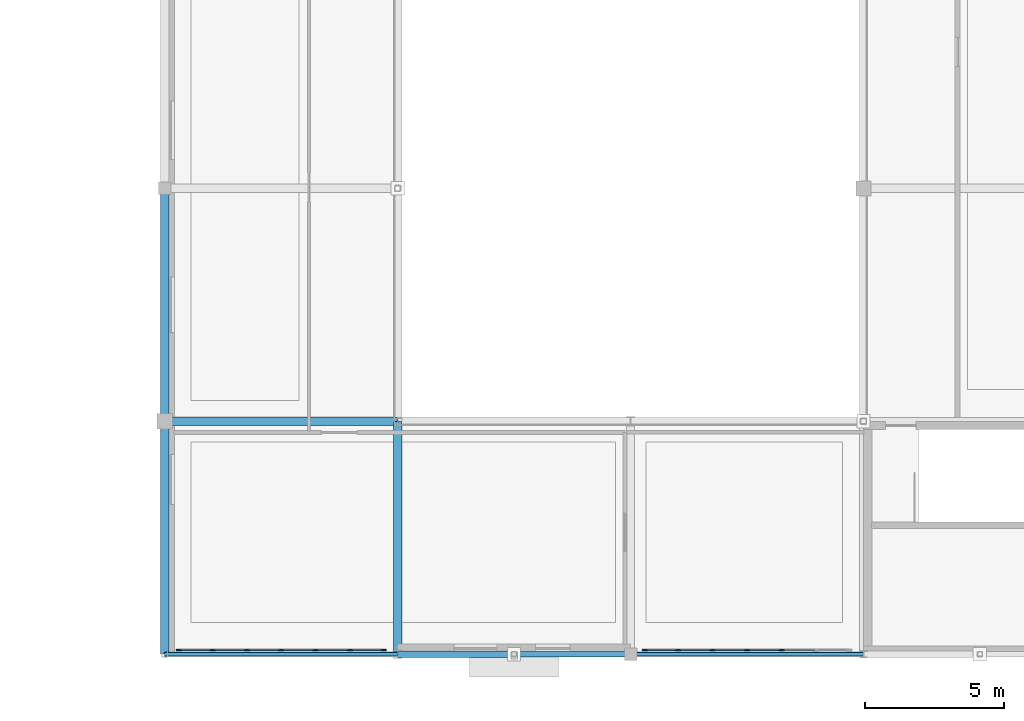
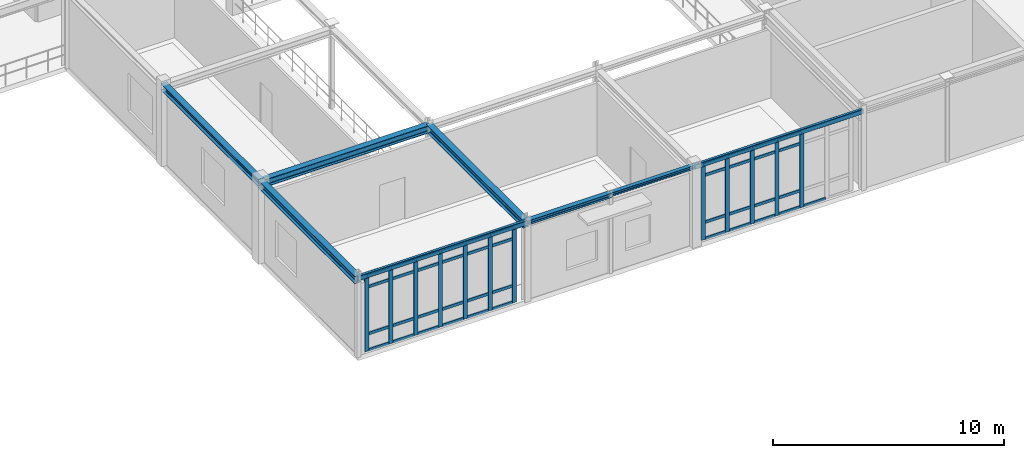
# One storey, part 35 of 106: 53 members, 8 beams, 2 elements without a shape of their own.
"""IFC4 building model written with IfcOpenShell, lengths in metres."""

from ifc_helpers import new_model, si_unit, derived_unit, direction, frame, origin, origin_2d, place, context, subcontext, project, spatial, rectangle, hollow_rectangle, i_section, extrude, material, layer, layer_set, material_profile, profile_set, type_object, element, aggregate, save


model = new_model("IFC4")

# Units and contexts
model_context = context("Model", 3, precision=1e-05, world=origin(), true_north=direction((0.0, 1.0)))
body_context = subcontext(model_context, "Body", "Model", "MODEL_VIEW")
ifc_project = project(units=[si_unit("LENGTHUNIT", "METRE"), si_unit("AREAUNIT", "SQUARE_METRE"), si_unit("VOLUMEUNIT", "CUBIC_METRE"), si_unit("PLANEANGLEUNIT", "RADIAN"), si_unit("MASSUNIT", "GRAM", prefix="KILO"), derived_unit("THERMALTRANSMITTANCEUNIT", [(si_unit("POWERUNIT", "WATT"), 1), (si_unit("AREAUNIT", "SQUARE_METRE"), -1), (si_unit("THERMODYNAMICTEMPERATUREUNIT", "KELVIN"), -1)])], contexts=[model_context])

# Site, building, storey
site_placement = place(None, origin())
site = spatial("IfcSite", under=ifc_project, at=site_placement, CompositionType="ELEMENT")
building_placement = place(site_placement, origin())
building = spatial("IfcBuilding", under=site, at=building_placement, Name="Yasenodar Specialist Clinic", CompositionType="ELEMENT")
storey_placement = place(building_placement, frame((0.0, 0.0, 4.5)))
storey = spatial("IfcBuildingStorey", under=building, at=storey_placement, Name="L01", CompositionType="ELEMENT", Elevation=4.5)

# Beams
ifc_material_1 = material(Name="Steel S355", Category="steel")
ifc_material_profile_1 = material_profile(ifc_material_1, i_section(OverallWidth=0.300048828125, OverallDepth=0.389892578125, WebThickness=0.010986328125, FlangeThickness=0.01904296875, FilletRadius=0.027099609375, at=origin_2d()), Name="HEA 400")
ifc_profile_set_1 = profile_set([ifc_material_profile_1], Name="Steel S355")
beam_type_1 = type_object("IfcBeamType", Name="BM-HEA400", PredefinedType="BEAM", material=ifc_profile_set_1)
beam_1_placement = place(storey_placement, frame((105.0, 8.39990234375, 4.054931640625), z_axis=(1.0, 0.0, 0.0), x_axis=(0.0, 1.0, 0.0)))
element("IfcBeam", 1, at=beam_1_placement, inside=storey, type_object=beam_type_1, Name="L01 Primary E-W Girder", PredefinedType="BEAM", context=body_context, shape_type="SweptSolid", body=[
    extrude(i_section(OverallWidth=0.300048828125, OverallDepth=0.389892578125, WebThickness=0.010986328125, FlangeThickness=0.01904296875, FilletRadius=0.027099609375, at=origin_2d()), origin(), (0.0, 0.0, 1.0), 8.39990234375),
])
ifc_material_profile_2 = material_profile(ifc_material_1, i_section(OverallWidth=0.300048828125, OverallDepth=0.340087890625, WebThickness=0.011962890625, FlangeThickness=0.021484375, FilletRadius=0.027099609375, at=origin_2d()), Name="HEB 340")
ifc_profile_set_2 = profile_set([ifc_material_profile_2], Name="Steel S355")
beam_type_2 = type_object("IfcBeamType", Name="BM-HEB340", PredefinedType="BEAM", material=ifc_profile_set_2)
beam_2_placement = place(storey_placement, frame((105.0, 8.39990234375, 4.080078125), z_axis=(0.0, 1.0, 0.0), x_axis=(-1.0, 0.0, 0.0)))
element("IfcBeam", 2, at=beam_2_placement, inside=storey, type_object=beam_type_2, Name="L01 Primary N-S Girder", PredefinedType="BEAM", context=body_context, shape_type="SweptSolid", body=[
    extrude(i_section(OverallWidth=0.300048828125, OverallDepth=0.340087890625, WebThickness=0.011962890625, FlangeThickness=0.021484375, FilletRadius=0.027099609375, at=origin_2d()), origin(), (0.0, 0.0, 1.0), 8.400146484375),
])
ifc_material_profile_3 = material_profile(ifc_material_1, i_section(OverallWidth=0.300048828125, OverallDepth=0.39990234375, WebThickness=0.013427734375, FlangeThickness=0.02392578125, FilletRadius=0.027099609375, at=origin_2d()), Name="HEB 400")
ifc_profile_set_3 = profile_set([ifc_material_profile_3], Name="Steel S355")
beam_type_3 = type_object("IfcBeamType", Name="BM-HEB400", PredefinedType="BEAM", material=ifc_profile_set_3)
for number, where, z_axis, x_axis, name in (
    (3, (105.0, 0.0, 4.050048828125), (0.0, 1.0, 0.0), (-1.0, 0.0, 0.0), "L01 Primary N-S Girder"),
    (4, (113.39990234375, 0.0, 4.050048828125), (0.0, 1.0, 0.0), (-1.0, 0.0, 0.0), "L01 Primary N-S Girder"),
):
    element("IfcBeam", number, at=place(storey_placement, frame(where, z_axis=z_axis, x_axis=x_axis)), inside=storey, type_object=beam_type_3, Name=name, PredefinedType="BEAM", context=body_context, shape_type="SweptSolid", body=[
        extrude(i_section(OverallWidth=0.300048828125, OverallDepth=0.39990234375, WebThickness=0.013427734375, FlangeThickness=0.02392578125, FilletRadius=0.027099609375, at=origin_2d()), origin(), (0.0, 0.0, 1.0), 8.39990234375),
    ])

# Curtain wall, members
ifc_material_2 = material(Name="Bronze Anodized Aluminium and Triple Low-E Glass", Category="aluminium")
ifc_layer = layer(ifc_material_2, 0.178955078125)
ifc_layer_set = layer_set([ifc_layer], Name="Bronze Anodized Aluminium and Triple Low-E Glass")
curtain_wall_type = type_object("IfcCurtainWallType", Name="CW-SYS-02", PredefinedType="USERDEFINED", material=ifc_layer_set)
curtain_wall_1_placement = place(storey_placement, origin())
curtain_wall_1 = element("IfcCurtainWall", 5, at=curtain_wall_1_placement, inside=storey, type_object=curtain_wall_type, Name="L01 Unitised Curtain Wall 092", ObjectType="UNITISED CURTAIN WALL", PredefinedType="USERDEFINED")
ifc_material_3 = material(Name="Bronze Anodized Aluminium", Category="aluminium")
ifc_material_profile_4 = material_profile(ifc_material_3, rectangle(XDim=0.070068359375, YDim=0.199951171875, at=origin_2d()), Name="CW-MULL 70x200")
ifc_profile_set_4 = profile_set([ifc_material_profile_4], Name="Bronze Anodized Aluminium")
member_type_1 = type_object("IfcMemberType", Name="CW-MULL-200", PredefinedType="MULLION", material=ifc_profile_set_4)
member_1_placement = place(storey_placement, frame((127.239990234375, 0.14990234375, 0.0), z_axis=(0.0, 0.0, 1.0), x_axis=(0.0, -1.0, 0.0)))
member_1 = element("IfcMember", 6, at=member_1_placement, type_object=member_type_1, Name="CW-02 mullion 3", PredefinedType="MULLION", context=body_context, shape_type="SweptSolid", body=[
    extrude(rectangle(XDim=0.070068359375, YDim=0.199951171875, at=origin_2d()), origin(), (0.0, 0.0, 1.0), 3.97802734375),
])
member_2_placement = place(storey_placement, frame((126.0, 0.14990234375, 0.0), z_axis=(0.0, 0.0, 1.0), x_axis=(0.0, -1.0, 0.0)))
member_2 = element("IfcMember", 7, at=member_2_placement, type_object=member_type_1, Name="CW-02 mullion 4", PredefinedType="MULLION", context=body_context, shape_type="SweptSolid", body=[
    extrude(rectangle(XDim=0.070068359375, YDim=0.199951171875, at=origin_2d()), origin(), (0.0, 0.0, 1.0), 3.97802734375),
])
member_3_placement = place(storey_placement, frame((124.760009765625, 0.14990234375, 0.0), z_axis=(0.0, 0.0, 1.0), x_axis=(0.0, -1.0, 0.0)))
member_3 = element("IfcMember", 8, at=member_3_placement, type_object=member_type_1, Name="CW-02 mullion 5", PredefinedType="MULLION", context=body_context, shape_type="SweptSolid", body=[
    extrude(rectangle(XDim=0.070068359375, YDim=0.199951171875, at=origin_2d()), origin(), (0.0, 0.0, 1.0), 3.97802734375),
])
member_4_placement = place(storey_placement, frame((123.52001953125, 0.14990234375, 0.0), z_axis=(0.0, 0.0, 1.0), x_axis=(0.0, -1.0, 0.0)))
member_4 = element("IfcMember", 9, at=member_4_placement, type_object=member_type_1, Name="CW-02 mullion 6", PredefinedType="MULLION", context=body_context, shape_type="SweptSolid", body=[
    extrude(rectangle(XDim=0.070068359375, YDim=0.199951171875, at=origin_2d()), origin(), (0.0, 0.0, 1.0), 3.97802734375),
])
member_5_placement = place(storey_placement, frame((122.31494140625, 0.14990234375, 0.0), z_axis=(0.0, 0.0, 1.0), x_axis=(0.0, -1.0, 0.0)))
member_5 = element("IfcMember", 10, at=member_5_placement, type_object=member_type_1, Name="CW-02 mullion 7", PredefinedType="MULLION", context=body_context, shape_type="SweptSolid", body=[
    extrude(rectangle(XDim=0.070068359375, YDim=0.199951171875, at=origin_2d()), origin(), (0.0, 0.0, 1.0), 3.97802734375),
])

curtain_wall_2_placement = place(storey_placement, origin())
curtain_wall_2 = element("IfcCurtainWall", 11, at=curtain_wall_2_placement, inside=storey, type_object=curtain_wall_type, Name="L01 Unitised Curtain Wall 093", ObjectType="UNITISED CURTAIN WALL", PredefinedType="USERDEFINED")
member_6_placement = place(storey_placement, frame((112.885009765625, 0.14990234375, 0.0), z_axis=(0.0, 0.0, 1.0), x_axis=(0.0, -1.0, 0.0)))
member_6 = element("IfcMember", 12, at=member_6_placement, type_object=member_type_1, Name="CW-02 mullion 1", PredefinedType="MULLION", context=body_context, shape_type="SweptSolid", body=[
    extrude(rectangle(XDim=0.070068359375, YDim=0.199951171875, at=origin_2d()), origin(), (0.0, 0.0, 1.0), 3.97802734375),
])
member_7_placement = place(storey_placement, frame((111.679931640625, 0.14990234375, 0.0), z_axis=(0.0, 0.0, 1.0), x_axis=(0.0, -1.0, 0.0)))
member_7 = element("IfcMember", 13, at=member_7_placement, type_object=member_type_1, Name="CW-02 mullion 2", PredefinedType="MULLION", context=body_context, shape_type="SweptSolid", body=[
    extrude(rectangle(XDim=0.070068359375, YDim=0.199951171875, at=origin_2d()), origin(), (0.0, 0.0, 1.0), 3.97802734375),
])
member_8_placement = place(storey_placement, frame((110.43994140625, 0.14990234375, 0.0), z_axis=(0.0, 0.0, 1.0), x_axis=(0.0, -1.0, 0.0)))
member_8 = element("IfcMember", 14, at=member_8_placement, type_object=member_type_1, Name="CW-02 mullion 3", PredefinedType="MULLION", context=body_context, shape_type="SweptSolid", body=[
    extrude(rectangle(XDim=0.070068359375, YDim=0.199951171875, at=origin_2d()), origin(), (0.0, 0.0, 1.0), 3.97802734375),
])
member_9_placement = place(storey_placement, frame((109.199951171875, 0.14990234375, 0.0), z_axis=(0.0, 0.0, 1.0), x_axis=(0.0, -1.0, 0.0)))
member_9 = element("IfcMember", 15, at=member_9_placement, type_object=member_type_1, Name="CW-02 mullion 4", PredefinedType="MULLION", context=body_context, shape_type="SweptSolid", body=[
    extrude(rectangle(XDim=0.070068359375, YDim=0.199951171875, at=origin_2d()), origin(), (0.0, 0.0, 1.0), 3.97802734375),
])
member_10_placement = place(storey_placement, frame((107.9599609375, 0.14990234375, 0.0), z_axis=(0.0, 0.0, 1.0), x_axis=(0.0, -1.0, 0.0)))
member_10 = element("IfcMember", 16, at=member_10_placement, type_object=member_type_1, Name="CW-02 mullion 5", PredefinedType="MULLION", context=body_context, shape_type="SweptSolid", body=[
    extrude(rectangle(XDim=0.070068359375, YDim=0.199951171875, at=origin_2d()), origin(), (0.0, 0.0, 1.0), 3.97802734375),
])
member_11_placement = place(storey_placement, frame((106.719970703125, 0.14990234375, 0.0), z_axis=(0.0, 0.0, 1.0), x_axis=(0.0, -1.0, 0.0)))
member_11 = element("IfcMember", 17, at=member_11_placement, type_object=member_type_1, Name="CW-02 mullion 6", PredefinedType="MULLION", context=body_context, shape_type="SweptSolid", body=[
    extrude(rectangle(XDim=0.070068359375, YDim=0.199951171875, at=origin_2d()), origin(), (0.0, 0.0, 1.0), 3.97802734375),
])
member_12_placement = place(storey_placement, frame((105.514892578125, 0.14990234375, 0.0), z_axis=(0.0, 0.0, 1.0), x_axis=(0.0, -1.0, 0.0)))
member_12 = element("IfcMember", 18, at=member_12_placement, type_object=member_type_1, Name="CW-02 mullion 7", PredefinedType="MULLION", context=body_context, shape_type="SweptSolid", body=[
    extrude(rectangle(XDim=0.070068359375, YDim=0.199951171875, at=origin_2d()), origin(), (0.0, 0.0, 1.0), 3.97802734375),
])

# Member
ifc_material_profile_5 = material_profile(ifc_material_3, rectangle(XDim=0.070068359375, YDim=0.14990234375, at=origin_2d()), Name="CW-TRAN 70x150")
ifc_profile_set_5 = profile_set([ifc_material_profile_5], Name="Bronze Anodized Aluminium")
member_type_2 = type_object("IfcMemberType", Name="CW-TRAN-150", PredefinedType="USERDEFINED", material=ifc_profile_set_5)
member_13_placement = place(storey_placement, frame((128.445068359375, 0.14990234375, 0.034912109375), z_axis=(-1.0, 0.0, 0.0), x_axis=(0.0, -1.0, 0.0)))
member_13 = element("IfcMember", 19, at=member_13_placement, type_object=member_type_2, Name="CW-02 transom 2.1", ObjectType="TRANSOM", PredefinedType="USERDEFINED", context=body_context, shape_type="SweptSolid", body=[
    extrude(rectangle(XDim=0.070068359375, YDim=0.14990234375, at=origin_2d()), origin(), (0.0, 0.0, 1.0), 1.170166015625),
])

member_14_placement = place(storey_placement, frame((127.205078125, 0.14990234375, 0.034912109375), z_axis=(-1.0, 0.0, 0.0), x_axis=(0.0, -1.0, 0.0)))
member_14 = element("IfcMember", 20, at=member_14_placement, type_object=member_type_2, Name="CW-02 transom 3.1", ObjectType="TRANSOM", PredefinedType="USERDEFINED", context=body_context, shape_type="SweptSolid", body=[
    extrude(rectangle(XDim=0.070068359375, YDim=0.14990234375, at=origin_2d()), origin(), (0.0, 0.0, 1.0), 1.170166015625),
])

member_15_placement = place(storey_placement, frame((127.205078125, 0.14990234375, 0.89990234375), z_axis=(-1.0, 0.0, 0.0), x_axis=(0.0, -1.0, 0.0)))
member_15 = element("IfcMember", 21, at=member_15_placement, type_object=member_type_2, Name="CW-02 transom 3.2", ObjectType="TRANSOM", PredefinedType="USERDEFINED", context=body_context, shape_type="SweptSolid", body=[
    extrude(rectangle(XDim=0.070068359375, YDim=0.14990234375, at=origin_2d()), origin(), (0.0, 0.0, 1.0), 1.170166015625),
])

member_16_placement = place(storey_placement, frame((127.205078125, 0.14990234375, 3.3779296875), z_axis=(-1.0, 0.0, 0.0), x_axis=(0.0, -1.0, 0.0)))
member_16 = element("IfcMember", 22, at=member_16_placement, type_object=member_type_2, Name="CW-02 transom 3.3", ObjectType="TRANSOM", PredefinedType="USERDEFINED", context=body_context, shape_type="SweptSolid", body=[
    extrude(rectangle(XDim=0.070068359375, YDim=0.14990234375, at=origin_2d()), origin(), (0.0, 0.0, 1.0), 1.170166015625),
])

member_17_placement = place(storey_placement, frame((127.205078125, 0.14990234375, 3.943115234375), z_axis=(-1.0, 0.0, 0.0), x_axis=(0.0, -1.0, 0.0)))
member_17 = element("IfcMember", 23, at=member_17_placement, type_object=member_type_2, Name="CW-02 transom 3.4", ObjectType="TRANSOM", PredefinedType="USERDEFINED", context=body_context, shape_type="SweptSolid", body=[
    extrude(rectangle(XDim=0.070068359375, YDim=0.14990234375, at=origin_2d()), origin(), (0.0, 0.0, 1.0), 1.170166015625),
])

member_18_placement = place(storey_placement, frame((125.965087890625, 0.14990234375, 0.034912109375), z_axis=(-1.0, 0.0, 0.0), x_axis=(0.0, -1.0, 0.0)))
member_18 = element("IfcMember", 24, at=member_18_placement, type_object=member_type_2, Name="CW-02 transom 4.1", ObjectType="TRANSOM", PredefinedType="USERDEFINED", context=body_context, shape_type="SweptSolid", body=[
    extrude(rectangle(XDim=0.070068359375, YDim=0.14990234375, at=origin_2d()), origin(), (0.0, 0.0, 1.0), 1.170166015625),
])

member_19_placement = place(storey_placement, frame((125.965087890625, 0.14990234375, 0.89990234375), z_axis=(-1.0, 0.0, 0.0), x_axis=(0.0, -1.0, 0.0)))
member_19 = element("IfcMember", 25, at=member_19_placement, type_object=member_type_2, Name="CW-02 transom 4.2", ObjectType="TRANSOM", PredefinedType="USERDEFINED", context=body_context, shape_type="SweptSolid", body=[
    extrude(rectangle(XDim=0.070068359375, YDim=0.14990234375, at=origin_2d()), origin(), (0.0, 0.0, 1.0), 1.170166015625),
])

member_20_placement = place(storey_placement, frame((125.965087890625, 0.14990234375, 3.3779296875), z_axis=(-1.0, 0.0, 0.0), x_axis=(0.0, -1.0, 0.0)))
member_20 = element("IfcMember", 26, at=member_20_placement, type_object=member_type_2, Name="CW-02 transom 4.3", ObjectType="TRANSOM", PredefinedType="USERDEFINED", context=body_context, shape_type="SweptSolid", body=[
    extrude(rectangle(XDim=0.070068359375, YDim=0.14990234375, at=origin_2d()), origin(), (0.0, 0.0, 1.0), 1.170166015625),
])

member_21_placement = place(storey_placement, frame((125.965087890625, 0.14990234375, 3.943115234375), z_axis=(-1.0, 0.0, 0.0), x_axis=(0.0, -1.0, 0.0)))
member_21 = element("IfcMember", 27, at=member_21_placement, type_object=member_type_2, Name="CW-02 transom 4.4", ObjectType="TRANSOM", PredefinedType="USERDEFINED", context=body_context, shape_type="SweptSolid", body=[
    extrude(rectangle(XDim=0.070068359375, YDim=0.14990234375, at=origin_2d()), origin(), (0.0, 0.0, 1.0), 1.170166015625),
])

member_22_placement = place(storey_placement, frame((124.72509765625, 0.14990234375, 0.034912109375), z_axis=(-1.0, 0.0, 0.0), x_axis=(0.0, -1.0, 0.0)))
member_22 = element("IfcMember", 28, at=member_22_placement, type_object=member_type_2, Name="CW-02 transom 5.1", ObjectType="TRANSOM", PredefinedType="USERDEFINED", context=body_context, shape_type="SweptSolid", body=[
    extrude(rectangle(XDim=0.070068359375, YDim=0.14990234375, at=origin_2d()), origin(), (0.0, 0.0, 1.0), 1.170166015625),
])

member_23_placement = place(storey_placement, frame((124.72509765625, 0.14990234375, 0.89990234375), z_axis=(-1.0, 0.0, 0.0), x_axis=(0.0, -1.0, 0.0)))
member_23 = element("IfcMember", 29, at=member_23_placement, type_object=member_type_2, Name="CW-02 transom 5.2", ObjectType="TRANSOM", PredefinedType="USERDEFINED", context=body_context, shape_type="SweptSolid", body=[
    extrude(rectangle(XDim=0.070068359375, YDim=0.14990234375, at=origin_2d()), origin(), (0.0, 0.0, 1.0), 1.170166015625),
])

member_24_placement = place(storey_placement, frame((124.72509765625, 0.14990234375, 3.3779296875), z_axis=(-1.0, 0.0, 0.0), x_axis=(0.0, -1.0, 0.0)))
member_24 = element("IfcMember", 30, at=member_24_placement, type_object=member_type_2, Name="CW-02 transom 5.3", ObjectType="TRANSOM", PredefinedType="USERDEFINED", context=body_context, shape_type="SweptSolid", body=[
    extrude(rectangle(XDim=0.070068359375, YDim=0.14990234375, at=origin_2d()), origin(), (0.0, 0.0, 1.0), 1.170166015625),
])

member_25_placement = place(storey_placement, frame((124.72509765625, 0.14990234375, 3.943115234375), z_axis=(-1.0, 0.0, 0.0), x_axis=(0.0, -1.0, 0.0)))
member_25 = element("IfcMember", 31, at=member_25_placement, type_object=member_type_2, Name="CW-02 transom 5.4", ObjectType="TRANSOM", PredefinedType="USERDEFINED", context=body_context, shape_type="SweptSolid", body=[
    extrude(rectangle(XDim=0.070068359375, YDim=0.14990234375, at=origin_2d()), origin(), (0.0, 0.0, 1.0), 1.170166015625),
])

member_26_placement = place(storey_placement, frame((123.485107421875, 0.14990234375, 0.034912109375), z_axis=(-1.0, 0.0, 0.0), x_axis=(0.0, -1.0, 0.0)))
member_26 = element("IfcMember", 32, at=member_26_placement, type_object=member_type_2, Name="CW-02 transom 6.1", ObjectType="TRANSOM", PredefinedType="USERDEFINED", context=body_context, shape_type="SweptSolid", body=[
    extrude(rectangle(XDim=0.070068359375, YDim=0.14990234375, at=origin_2d()), origin(), (0.0, 0.0, 1.0), 1.135009765625),
])

member_27_placement = place(storey_placement, frame((123.485107421875, 0.14990234375, 0.89990234375), z_axis=(-1.0, 0.0, 0.0), x_axis=(0.0, -1.0, 0.0)))
member_27 = element("IfcMember", 33, at=member_27_placement, type_object=member_type_2, Name="CW-02 transom 6.2", ObjectType="TRANSOM", PredefinedType="USERDEFINED", context=body_context, shape_type="SweptSolid", body=[
    extrude(rectangle(XDim=0.070068359375, YDim=0.14990234375, at=origin_2d()), origin(), (0.0, 0.0, 1.0), 1.135009765625),
])

member_28_placement = place(storey_placement, frame((123.485107421875, 0.14990234375, 3.3779296875), z_axis=(-1.0, 0.0, 0.0), x_axis=(0.0, -1.0, 0.0)))
member_28 = element("IfcMember", 34, at=member_28_placement, type_object=member_type_2, Name="CW-02 transom 6.3", ObjectType="TRANSOM", PredefinedType="USERDEFINED", context=body_context, shape_type="SweptSolid", body=[
    extrude(rectangle(XDim=0.070068359375, YDim=0.14990234375, at=origin_2d()), origin(), (0.0, 0.0, 1.0), 1.135009765625),
])

member_29_placement = place(storey_placement, frame((123.485107421875, 0.14990234375, 3.943115234375), z_axis=(-1.0, 0.0, 0.0), x_axis=(0.0, -1.0, 0.0)))
member_29 = element("IfcMember", 35, at=member_29_placement, type_object=member_type_2, Name="CW-02 transom 6.4", ObjectType="TRANSOM", PredefinedType="USERDEFINED", context=body_context, shape_type="SweptSolid", body=[
    extrude(rectangle(XDim=0.070068359375, YDim=0.14990234375, at=origin_2d()), origin(), (0.0, 0.0, 1.0), 1.135009765625),
])

aggregate(curtain_wall_1, [member_1, member_2, member_3, member_4, member_5, member_13, member_14, member_15, member_16, member_17, member_18, member_19, member_20, member_21, member_22, member_23, member_24, member_25, member_26, member_27, member_28, member_29])

member_30_placement = place(storey_placement, frame((112.85009765625, 0.14990234375, 0.034912109375), z_axis=(-1.0, 0.0, 0.0), x_axis=(0.0, -1.0, 0.0)))
member_30 = element("IfcMember", 36, at=member_30_placement, type_object=member_type_2, Name="CW-02 transom 1.1", ObjectType="TRANSOM", PredefinedType="USERDEFINED", context=body_context, shape_type="SweptSolid", body=[
    extrude(rectangle(XDim=0.070068359375, YDim=0.14990234375, at=origin_2d()), origin(), (0.0, 0.0, 1.0), 1.135009765625),
])

member_31_placement = place(storey_placement, frame((112.85009765625, 0.14990234375, 0.89990234375), z_axis=(-1.0, 0.0, 0.0), x_axis=(0.0, -1.0, 0.0)))
member_31 = element("IfcMember", 37, at=member_31_placement, type_object=member_type_2, Name="CW-02 transom 1.2", ObjectType="TRANSOM", PredefinedType="USERDEFINED", context=body_context, shape_type="SweptSolid", body=[
    extrude(rectangle(XDim=0.070068359375, YDim=0.14990234375, at=origin_2d()), origin(), (0.0, 0.0, 1.0), 1.135009765625),
])

member_32_placement = place(storey_placement, frame((112.85009765625, 0.14990234375, 3.3779296875), z_axis=(-1.0, 0.0, 0.0), x_axis=(0.0, -1.0, 0.0)))
member_32 = element("IfcMember", 38, at=member_32_placement, type_object=member_type_2, Name="CW-02 transom 1.3", ObjectType="TRANSOM", PredefinedType="USERDEFINED", context=body_context, shape_type="SweptSolid", body=[
    extrude(rectangle(XDim=0.070068359375, YDim=0.14990234375, at=origin_2d()), origin(), (0.0, 0.0, 1.0), 1.135009765625),
])

member_33_placement = place(storey_placement, frame((112.85009765625, 0.14990234375, 3.943115234375), z_axis=(-1.0, 0.0, 0.0), x_axis=(0.0, -1.0, 0.0)))
member_33 = element("IfcMember", 39, at=member_33_placement, type_object=member_type_2, Name="CW-02 transom 1.4", ObjectType="TRANSOM", PredefinedType="USERDEFINED", context=body_context, shape_type="SweptSolid", body=[
    extrude(rectangle(XDim=0.070068359375, YDim=0.14990234375, at=origin_2d()), origin(), (0.0, 0.0, 1.0), 1.135009765625),
])

member_34_placement = place(storey_placement, frame((111.64501953125, 0.14990234375, 0.034912109375), z_axis=(-1.0, 0.0, 0.0), x_axis=(0.0, -1.0, 0.0)))
member_34 = element("IfcMember", 40, at=member_34_placement, type_object=member_type_2, Name="CW-02 transom 2.1", ObjectType="TRANSOM", PredefinedType="USERDEFINED", context=body_context, shape_type="SweptSolid", body=[
    extrude(rectangle(XDim=0.070068359375, YDim=0.14990234375, at=origin_2d()), origin(), (0.0, 0.0, 1.0), 1.169921875),
])

member_35_placement = place(storey_placement, frame((111.64501953125, 0.14990234375, 0.89990234375), z_axis=(-1.0, 0.0, 0.0), x_axis=(0.0, -1.0, 0.0)))
member_35 = element("IfcMember", 41, at=member_35_placement, type_object=member_type_2, Name="CW-02 transom 2.2", ObjectType="TRANSOM", PredefinedType="USERDEFINED", context=body_context, shape_type="SweptSolid", body=[
    extrude(rectangle(XDim=0.070068359375, YDim=0.14990234375, at=origin_2d()), origin(), (0.0, 0.0, 1.0), 1.169921875),
])

member_36_placement = place(storey_placement, frame((111.64501953125, 0.14990234375, 3.3779296875), z_axis=(-1.0, 0.0, 0.0), x_axis=(0.0, -1.0, 0.0)))
member_36 = element("IfcMember", 42, at=member_36_placement, type_object=member_type_2, Name="CW-02 transom 2.3", ObjectType="TRANSOM", PredefinedType="USERDEFINED", context=body_context, shape_type="SweptSolid", body=[
    extrude(rectangle(XDim=0.070068359375, YDim=0.14990234375, at=origin_2d()), origin(), (0.0, 0.0, 1.0), 1.169921875),
])

member_37_placement = place(storey_placement, frame((111.64501953125, 0.14990234375, 3.943115234375), z_axis=(-1.0, 0.0, 0.0), x_axis=(0.0, -1.0, 0.0)))
member_37 = element("IfcMember", 43, at=member_37_placement, type_object=member_type_2, Name="CW-02 transom 2.4", ObjectType="TRANSOM", PredefinedType="USERDEFINED", context=body_context, shape_type="SweptSolid", body=[
    extrude(rectangle(XDim=0.070068359375, YDim=0.14990234375, at=origin_2d()), origin(), (0.0, 0.0, 1.0), 1.169921875),
])

member_38_placement = place(storey_placement, frame((110.405029296875, 0.14990234375, 0.034912109375), z_axis=(-1.0, 0.0, 0.0), x_axis=(0.0, -1.0, 0.0)))
member_38 = element("IfcMember", 44, at=member_38_placement, type_object=member_type_2, Name="CW-02 transom 3.1", ObjectType="TRANSOM", PredefinedType="USERDEFINED", context=body_context, shape_type="SweptSolid", body=[
    extrude(rectangle(XDim=0.070068359375, YDim=0.14990234375, at=origin_2d()), origin(), (0.0, 0.0, 1.0), 1.169921875),
])

member_39_placement = place(storey_placement, frame((110.405029296875, 0.14990234375, 0.89990234375), z_axis=(-1.0, 0.0, 0.0), x_axis=(0.0, -1.0, 0.0)))
member_39 = element("IfcMember", 45, at=member_39_placement, type_object=member_type_2, Name="CW-02 transom 3.2", ObjectType="TRANSOM", PredefinedType="USERDEFINED", context=body_context, shape_type="SweptSolid", body=[
    extrude(rectangle(XDim=0.070068359375, YDim=0.14990234375, at=origin_2d()), origin(), (0.0, 0.0, 1.0), 1.169921875),
])

member_40_placement = place(storey_placement, frame((110.405029296875, 0.14990234375, 3.3779296875), z_axis=(-1.0, 0.0, 0.0), x_axis=(0.0, -1.0, 0.0)))
member_40 = element("IfcMember", 46, at=member_40_placement, type_object=member_type_2, Name="CW-02 transom 3.3", ObjectType="TRANSOM", PredefinedType="USERDEFINED", context=body_context, shape_type="SweptSolid", body=[
    extrude(rectangle(XDim=0.070068359375, YDim=0.14990234375, at=origin_2d()), origin(), (0.0, 0.0, 1.0), 1.169921875),
])

member_41_placement = place(storey_placement, frame((110.405029296875, 0.14990234375, 3.943115234375), z_axis=(-1.0, 0.0, 0.0), x_axis=(0.0, -1.0, 0.0)))
member_41 = element("IfcMember", 47, at=member_41_placement, type_object=member_type_2, Name="CW-02 transom 3.4", ObjectType="TRANSOM", PredefinedType="USERDEFINED", context=body_context, shape_type="SweptSolid", body=[
    extrude(rectangle(XDim=0.070068359375, YDim=0.14990234375, at=origin_2d()), origin(), (0.0, 0.0, 1.0), 1.169921875),
])

member_42_placement = place(storey_placement, frame((109.1650390625, 0.14990234375, 0.034912109375), z_axis=(-1.0, 0.0, 0.0), x_axis=(0.0, -1.0, 0.0)))
member_42 = element("IfcMember", 48, at=member_42_placement, type_object=member_type_2, Name="CW-02 transom 4.1", ObjectType="TRANSOM", PredefinedType="USERDEFINED", context=body_context, shape_type="SweptSolid", body=[
    extrude(rectangle(XDim=0.070068359375, YDim=0.14990234375, at=origin_2d()), origin(), (0.0, 0.0, 1.0), 1.169921875),
])

member_43_placement = place(storey_placement, frame((109.1650390625, 0.14990234375, 0.89990234375), z_axis=(-1.0, 0.0, 0.0), x_axis=(0.0, -1.0, 0.0)))
member_43 = element("IfcMember", 49, at=member_43_placement, type_object=member_type_2, Name="CW-02 transom 4.2", ObjectType="TRANSOM", PredefinedType="USERDEFINED", context=body_context, shape_type="SweptSolid", body=[
    extrude(rectangle(XDim=0.070068359375, YDim=0.14990234375, at=origin_2d()), origin(), (0.0, 0.0, 1.0), 1.169921875),
])

member_44_placement = place(storey_placement, frame((109.1650390625, 0.14990234375, 3.3779296875), z_axis=(-1.0, 0.0, 0.0), x_axis=(0.0, -1.0, 0.0)))
member_44 = element("IfcMember", 50, at=member_44_placement, type_object=member_type_2, Name="CW-02 transom 4.3", ObjectType="TRANSOM", PredefinedType="USERDEFINED", context=body_context, shape_type="SweptSolid", body=[
    extrude(rectangle(XDim=0.070068359375, YDim=0.14990234375, at=origin_2d()), origin(), (0.0, 0.0, 1.0), 1.169921875),
])

member_45_placement = place(storey_placement, frame((109.1650390625, 0.14990234375, 3.943115234375), z_axis=(-1.0, 0.0, 0.0), x_axis=(0.0, -1.0, 0.0)))
member_45 = element("IfcMember", 51, at=member_45_placement, type_object=member_type_2, Name="CW-02 transom 4.4", ObjectType="TRANSOM", PredefinedType="USERDEFINED", context=body_context, shape_type="SweptSolid", body=[
    extrude(rectangle(XDim=0.070068359375, YDim=0.14990234375, at=origin_2d()), origin(), (0.0, 0.0, 1.0), 1.169921875),
])

member_46_placement = place(storey_placement, frame((107.925048828125, 0.14990234375, 0.034912109375), z_axis=(-1.0, 0.0, 0.0), x_axis=(0.0, -1.0, 0.0)))
member_46 = element("IfcMember", 52, at=member_46_placement, type_object=member_type_2, Name="CW-02 transom 5.1", ObjectType="TRANSOM", PredefinedType="USERDEFINED", context=body_context, shape_type="SweptSolid", body=[
    extrude(rectangle(XDim=0.070068359375, YDim=0.14990234375, at=origin_2d()), origin(), (0.0, 0.0, 1.0), 1.170166015625),
])

member_47_placement = place(storey_placement, frame((107.925048828125, 0.14990234375, 0.89990234375), z_axis=(-1.0, 0.0, 0.0), x_axis=(0.0, -1.0, 0.0)))
member_47 = element("IfcMember", 53, at=member_47_placement, type_object=member_type_2, Name="CW-02 transom 5.2", ObjectType="TRANSOM", PredefinedType="USERDEFINED", context=body_context, shape_type="SweptSolid", body=[
    extrude(rectangle(XDim=0.070068359375, YDim=0.14990234375, at=origin_2d()), origin(), (0.0, 0.0, 1.0), 1.170166015625),
])

member_48_placement = place(storey_placement, frame((107.925048828125, 0.14990234375, 3.3779296875), z_axis=(-1.0, 0.0, 0.0), x_axis=(0.0, -1.0, 0.0)))
member_48 = element("IfcMember", 54, at=member_48_placement, type_object=member_type_2, Name="CW-02 transom 5.3", ObjectType="TRANSOM", PredefinedType="USERDEFINED", context=body_context, shape_type="SweptSolid", body=[
    extrude(rectangle(XDim=0.070068359375, YDim=0.14990234375, at=origin_2d()), origin(), (0.0, 0.0, 1.0), 1.170166015625),
])

member_49_placement = place(storey_placement, frame((107.925048828125, 0.14990234375, 3.943115234375), z_axis=(-1.0, 0.0, 0.0), x_axis=(0.0, -1.0, 0.0)))
member_49 = element("IfcMember", 55, at=member_49_placement, type_object=member_type_2, Name="CW-02 transom 5.4", ObjectType="TRANSOM", PredefinedType="USERDEFINED", context=body_context, shape_type="SweptSolid", body=[
    extrude(rectangle(XDim=0.070068359375, YDim=0.14990234375, at=origin_2d()), origin(), (0.0, 0.0, 1.0), 1.170166015625),
])

member_50_placement = place(storey_placement, frame((106.68505859375, 0.14990234375, 0.034912109375), z_axis=(-1.0, 0.0, 0.0), x_axis=(0.0, -1.0, 0.0)))
member_50 = element("IfcMember", 56, at=member_50_placement, type_object=member_type_2, Name="CW-02 transom 6.1", ObjectType="TRANSOM", PredefinedType="USERDEFINED", context=body_context, shape_type="SweptSolid", body=[
    extrude(rectangle(XDim=0.070068359375, YDim=0.14990234375, at=origin_2d()), origin(), (0.0, 0.0, 1.0), 1.135009765625),
])

member_51_placement = place(storey_placement, frame((106.68505859375, 0.14990234375, 0.89990234375), z_axis=(-1.0, 0.0, 0.0), x_axis=(0.0, -1.0, 0.0)))
member_51 = element("IfcMember", 57, at=member_51_placement, type_object=member_type_2, Name="CW-02 transom 6.2", ObjectType="TRANSOM", PredefinedType="USERDEFINED", context=body_context, shape_type="SweptSolid", body=[
    extrude(rectangle(XDim=0.070068359375, YDim=0.14990234375, at=origin_2d()), origin(), (0.0, 0.0, 1.0), 1.135009765625),
])

member_52_placement = place(storey_placement, frame((106.68505859375, 0.14990234375, 3.3779296875), z_axis=(-1.0, 0.0, 0.0), x_axis=(0.0, -1.0, 0.0)))
member_52 = element("IfcMember", 58, at=member_52_placement, type_object=member_type_2, Name="CW-02 transom 6.3", ObjectType="TRANSOM", PredefinedType="USERDEFINED", context=body_context, shape_type="SweptSolid", body=[
    extrude(rectangle(XDim=0.070068359375, YDim=0.14990234375, at=origin_2d()), origin(), (0.0, 0.0, 1.0), 1.135009765625),
])

member_53_placement = place(storey_placement, frame((106.68505859375, 0.14990234375, 3.943115234375), z_axis=(-1.0, 0.0, 0.0), x_axis=(0.0, -1.0, 0.0)))
member_53 = element("IfcMember", 59, at=member_53_placement, type_object=member_type_2, Name="CW-02 transom 6.4", ObjectType="TRANSOM", PredefinedType="USERDEFINED", context=body_context, shape_type="SweptSolid", body=[
    extrude(rectangle(XDim=0.070068359375, YDim=0.14990234375, at=origin_2d()), origin(), (0.0, 0.0, 1.0), 1.135009765625),
])

aggregate(curtain_wall_2, [member_6, member_7, member_8, member_9, member_10, member_11, member_12, member_30, member_31, member_32, member_33, member_34, member_35, member_36, member_37, member_38, member_39, member_40, member_41, member_42, member_43, member_44, member_45, member_46, member_47, member_48, member_49, member_50, member_51, member_52, member_53])

# Beams
ifc_material_profile_6 = material_profile(ifc_material_1, i_section(OverallWidth=0.199951171875, OverallDepth=0.18994140625, WebThickness=0.006591796875, FlangeThickness=0.010009765625, FilletRadius=0.01806640625, at=origin_2d()), Name="HEA 200")
ifc_profile_set_6 = profile_set([ifc_material_profile_6], Name="Steel S355")
beam_type_4 = type_object("IfcBeamType", Name="SP-HEA200", PredefinedType="SPANDREL", material=ifc_profile_set_6)
beam_3_placement = place(storey_placement, frame((117.60009765625, 0.0, 4.155029296875), z_axis=(1.0, 0.0, 0.0), x_axis=(0.0, 1.0, 0.0)))
element("IfcBeam", 60, at=beam_3_placement, inside=storey, type_object=beam_type_4, Name="L01 Perimeter Spandrel Beam", PredefinedType="SPANDREL", context=body_context, shape_type="SweptSolid", body=[
    extrude(i_section(OverallWidth=0.199951171875, OverallDepth=0.18994140625, WebThickness=0.006591796875, FlangeThickness=0.010009765625, FilletRadius=0.01806640625, at=origin_2d()), origin(), (0.0, 0.0, 1.0), 4.199951171875),
])
ifc_material_profile_7 = material_profile(ifc_material_1, i_section(OverallWidth=0.239990234375, OverallDepth=0.22998046875, WebThickness=0.007568359375, FlangeThickness=0.011962890625, FilletRadius=0.02099609375, at=origin_2d()), Name="HEA 240")
ifc_profile_set_7 = profile_set([ifc_material_profile_7], Name="Steel S355")
beam_type_5 = type_object("IfcBeamType", Name="SP-HEA240", PredefinedType="SPANDREL", material=ifc_profile_set_7)
beam_4_placement = place(storey_placement, frame((113.39990234375, 0.0, 4.135009765625), z_axis=(1.0, 0.0, 0.0), x_axis=(0.0, 1.0, 0.0)))
element("IfcBeam", 61, at=beam_4_placement, inside=storey, type_object=beam_type_5, Name="L01 Perimeter Spandrel Beam", PredefinedType="SPANDREL", context=body_context, shape_type="SweptSolid", body=[
    extrude(i_section(OverallWidth=0.239990234375, OverallDepth=0.22998046875, WebThickness=0.007568359375, FlangeThickness=0.011962890625, FilletRadius=0.02099609375, at=origin_2d()), origin(), (0.0, 0.0, 1.0), 4.2001953125),
])
ifc_material_profile_8 = material_profile(ifc_material_1, hollow_rectangle(XDim=0.14990234375, YDim=0.25, WallThickness=0.010009765625, InnerFilletRadius=0.014892578125, OuterFilletRadius=0.02490234375, at=origin_2d()), Name="RHS 250x150x10")
ifc_profile_set_8 = profile_set([ifc_material_profile_8], Name="Steel S355")
beam_type_6 = type_object("IfcBeamType", Name="SP-RHS250", PredefinedType="SPANDREL", material=ifc_profile_set_8)
for number, where, z_axis, x_axis, name in (
    (62, (105.0, 0.0, 4.125), (1.0, 0.0, 0.0), (0.0, 1.0, 0.0), "L01 Perimeter Spandrel Beam"),
    (63, (121.800048828125, 0.0, 4.125), (1.0, 0.0, 0.0), (0.0, 1.0, 0.0), "L01 Perimeter Spandrel Beam"),
):
    element("IfcBeam", number, at=place(storey_placement, frame(where, z_axis=z_axis, x_axis=x_axis)), inside=storey, type_object=beam_type_6, Name=name, PredefinedType="SPANDREL", context=body_context, shape_type="SweptSolid", body=[
        extrude(hollow_rectangle(XDim=0.14990234375, YDim=0.25, WallThickness=0.010009765625, InnerFilletRadius=0.014892578125, OuterFilletRadius=0.02490234375, at=origin_2d()), origin(), (0.0, 0.0, 1.0), 8.39990234375),
    ])

save(model, "model.ifc")
